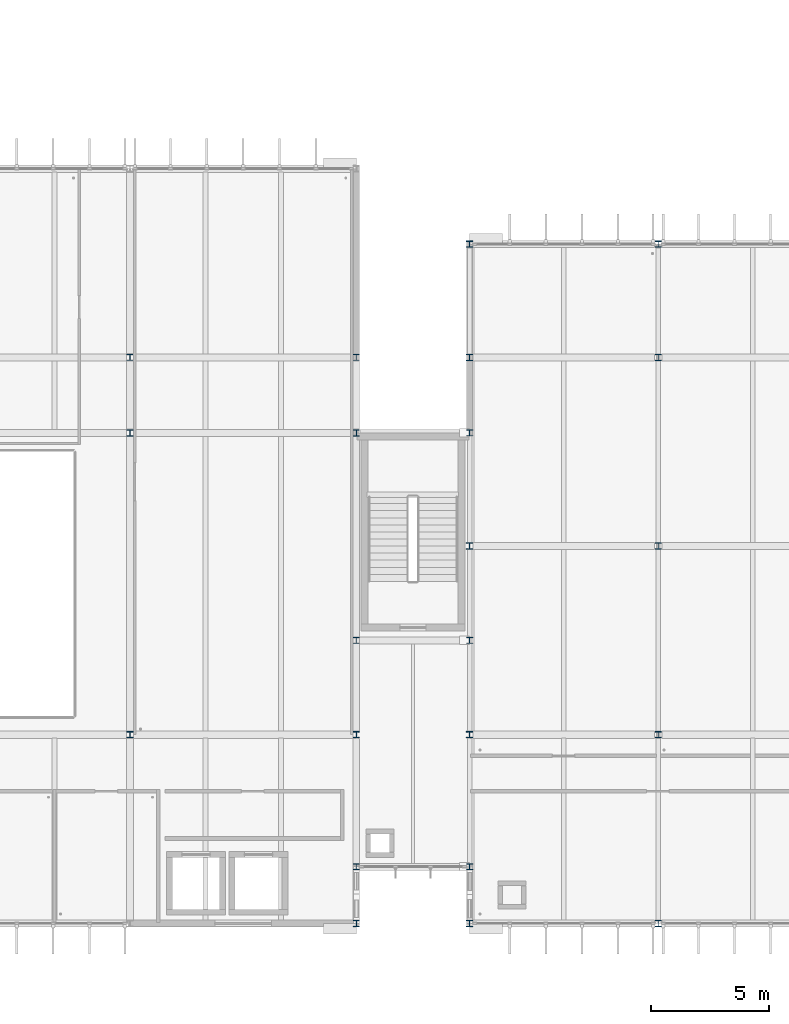
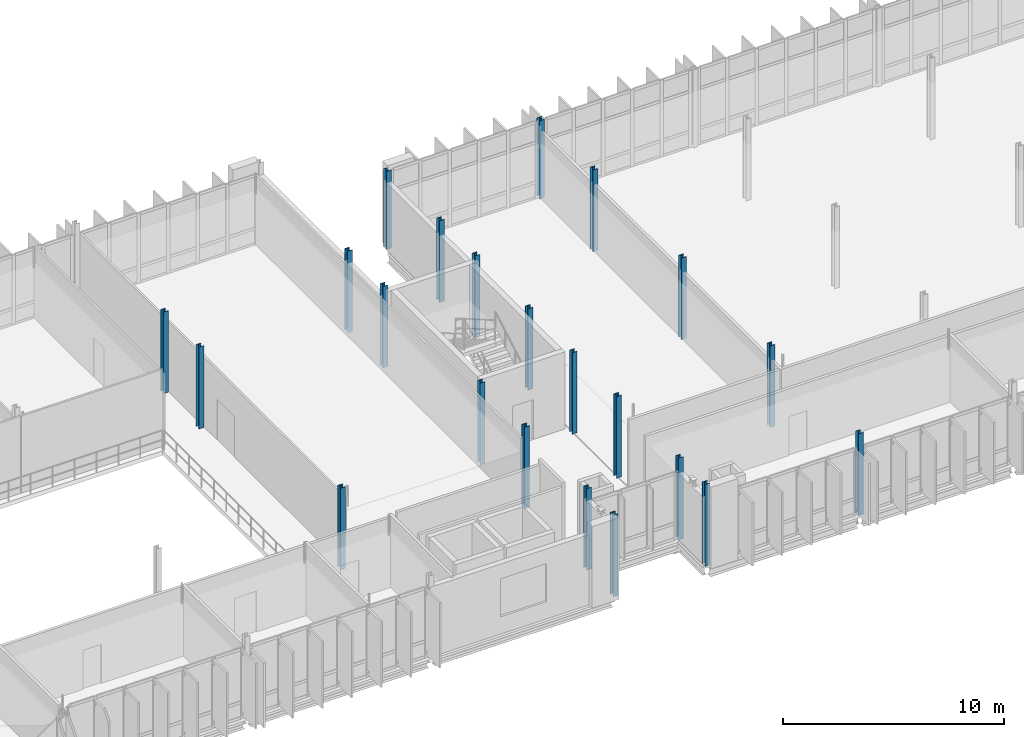
# One storey, part 6 of 93: 22 columns.
"""IFC4 building model written with IfcOpenShell, lengths in metres."""

from ifc_helpers import new_model, si_unit, direction, frame, origin, origin_2d, place, context, subcontext, project, spatial, i_section, extrude, material, material_profile, profile_set, type_object, element, save


model = new_model("IFC4")

# Units and contexts
model_context = context("Model", 3, precision=1e-05, world=origin(), true_north=direction((0.0, 1.0)))
body_context = subcontext(model_context, "Body", "Model", "MODEL_VIEW")
ifc_project = project(units=[si_unit("LENGTHUNIT", "METRE"), si_unit("AREAUNIT", "SQUARE_METRE"), si_unit("VOLUMEUNIT", "CUBIC_METRE"), si_unit("PLANEANGLEUNIT", "RADIAN"), si_unit("MASSUNIT", "GRAM", prefix="KILO")], contexts=[model_context])

# Site, building, storey
site_placement = place(None, origin())
site = spatial("IfcSite", under=ifc_project, at=site_placement, CompositionType="ELEMENT")
building_placement = place(site_placement, origin())
building = spatial("IfcBuilding", under=site, at=building_placement, Name="Dunescarp Central Library", CompositionType="ELEMENT")
storey_placement = place(building_placement, frame((0.0, 0.0, 14.10009765625)))
storey = spatial("IfcBuildingStorey", under=building, at=storey_placement, Name="L03", CompositionType="ELEMENT", Elevation=14.10009765625)

# Columns
ifc_material = material(Name="Steel S355JR", Category="steel")
ifc_material_profile_1 = material_profile(ifc_material, i_section(OverallWidth=0.26123046875, OverallDepth=0.2763671875, WebThickness=0.015380859375, FlangeThickness=0.025390625, at=origin_2d()), Name="UC 254x254x132")
ifc_profile_set_1 = profile_set([ifc_material_profile_1], Name="Steel S355JR")
column_type_1 = type_object("IfcColumnType", Name="STR-COL-UC254X132", PredefinedType="COLUMN", material=ifc_profile_set_1)
for number, where, z_axis, x_axis, name in (
    (1, (67.199951171875, 12.800048828125, 0.0), (0.0, 0.0, 1.0), (1.0, 0.0, 0.0), "L03 column V2-672-128"),
    (2, (67.199951171875, 25.60009765625, 0.0), (0.0, 0.0, 1.0), (1.0, 0.0, 0.0), "L03 column V2-672-256"),
    (3, (76.800048828125, 4.800048828125, 0.0), (0.0, 0.0, 1.0), (1.0, 0.0, 0.0), "L03 column V2-768-48"),
    (4, (76.800048828125, 12.800048828125, 0.0), (0.0, 0.0, 1.0), (1.0, 0.0, 0.0), "L03 column V2-768-128"),
    (5, (76.800048828125, 25.60009765625, 0.0), (0.0, 0.0, 1.0), (1.0, 0.0, 0.0), "L03 column V2-768-256"),
    (6, (81.60009765625, 4.800048828125, 0.0), (0.0, 0.0, 1.0), (1.0, 0.0, 0.0), "L03 column V3-816-48"),
    (7, (81.60009765625, 12.800048828125, 0.0), (0.0, 0.0, 1.0), (1.0, 0.0, 0.0), "L03 column V3-816-128"),
    (8, (81.60009765625, 20.800048828125, 0.0), (0.0, 0.0, 1.0), (1.0, 0.0, 0.0), "L03 column V3-816-208"),
    (9, (81.60009765625, 28.800048828125, 0.0), (0.0, 0.0, 1.0), (1.0, 0.0, 0.0), "L03 column V3-816-288"),
):
    element("IfcColumn", number, at=place(storey_placement, frame(where, z_axis=z_axis, x_axis=x_axis)), inside=storey, type_object=column_type_1, Name=name, PredefinedType="COLUMN", context=body_context, shape_type="SweptSolid", body=[
        extrude(i_section(OverallWidth=0.26123046875, OverallDepth=0.2763671875, WebThickness=0.015380859375, FlangeThickness=0.025390625, at=origin_2d()), origin(), (0.0, 0.0, 1.0), 4.5),
    ])
column_1_placement = place(storey_placement, frame((81.60009765625, 33.60009765625, 0.0), z_axis=(0.0, 0.0, 1.0), x_axis=(1.0, 0.0, 0.0)))
element("IfcColumn", 10, at=column_1_placement, inside=storey, type_object=column_type_1, Name="L03 column V3-816-336", PredefinedType="COLUMN", context=body_context, shape_type="SweptSolid", body=[
    extrude(i_section(OverallWidth=0.26123046875, OverallDepth=0.2763671875, WebThickness=0.015380859375, FlangeThickness=0.025390625, at=origin_2d()), origin(), (0.0, 0.0, 1.0), 4.309814453125),
])
for number, where, z_axis, x_axis, name in (
    (11, (89.60009765625, 4.800048828125, 0.0), (0.0, 0.0, 1.0), (1.0, 0.0, 0.0), "L03 column V3-896-48"),
    (12, (89.60009765625, 12.800048828125, 0.0), (0.0, 0.0, 1.0), (1.0, 0.0, 0.0), "L03 column V3-896-128"),
    (13, (89.60009765625, 20.800048828125, 0.0), (0.0, 0.0, 1.0), (1.0, 0.0, 0.0), "L03 column V3-896-208"),
    (14, (89.60009765625, 28.800048828125, 0.0), (0.0, 0.0, 1.0), (1.0, 0.0, 0.0), "L03 column V3-896-288"),
):
    element("IfcColumn", number, at=place(storey_placement, frame(where, z_axis=z_axis, x_axis=x_axis)), inside=storey, type_object=column_type_1, Name=name, PredefinedType="COLUMN", context=body_context, shape_type="SweptSolid", body=[
        extrude(i_section(OverallWidth=0.26123046875, OverallDepth=0.2763671875, WebThickness=0.015380859375, FlangeThickness=0.025390625, at=origin_2d()), origin(), (0.0, 0.0, 1.0), 4.5),
    ])
column_2_placement = place(storey_placement, frame((89.60009765625, 33.60009765625, 0.0), z_axis=(0.0, 0.0, 1.0), x_axis=(1.0, 0.0, 0.0)))
element("IfcColumn", 15, at=column_2_placement, inside=storey, type_object=column_type_1, Name="L03 column V3-896-336", PredefinedType="COLUMN", context=body_context, shape_type="SweptSolid", body=[
    extrude(i_section(OverallWidth=0.26123046875, OverallDepth=0.2763671875, WebThickness=0.015380859375, FlangeThickness=0.025390625, at=origin_2d()), origin(), (0.0, 0.0, 1.0), 4.309814453125),
])
ifc_material_profile_2 = material_profile(ifc_material, i_section(OverallWidth=0.25634765625, OverallDepth=0.26025390625, WebThickness=0.01025390625, FlangeThickness=0.017333984375, at=origin_2d()), Name="UC 254x254x89")
ifc_profile_set_2 = profile_set([ifc_material_profile_2], Name="Steel S355JR")
column_type_2 = type_object("IfcColumnType", Name="STR-COL-UC254X89", PredefinedType="COLUMN", material=ifc_profile_set_2)
for number, where, z_axis, x_axis, name in (
    (16, (67.199951171875, 28.800048828125, 0.0), (0.0, 0.0, 1.0), (1.0, 0.0, 0.0), "L03 column V2N5-672"),
    (17, (76.800048828125, 28.800048828125, 0.0), (0.0, 0.0, 1.0), (1.0, 0.0, 0.0), "L03 column V2N5-768"),
    (18, (76.800048828125, 7.199951171875, 0.0), (0.0, 0.0, 1.0), (1.0, 0.0, 0.0), "L03 column V2L-768-72"),
    (19, (76.800048828125, 16.800048828125, 0.0), (0.0, 0.0, 1.0), (1.0, 0.0, 0.0), "L03 column V2L-768-168"),
    (20, (81.60009765625, 7.199951171875, 0.0), (0.0, 0.0, 1.0), (1.0, 0.0, 0.0), "L03 column V3L-816-72"),
    (21, (81.60009765625, 16.800048828125, 0.0), (0.0, 0.0, 1.0), (1.0, 0.0, 0.0), "L03 column V3L-816-168"),
    (22, (81.60009765625, 25.60009765625, 0.0), (0.0, 0.0, 1.0), (1.0, 0.0, 0.0), "L03 column V3L-816-256"),
):
    element("IfcColumn", number, at=place(storey_placement, frame(where, z_axis=z_axis, x_axis=x_axis)), inside=storey, type_object=column_type_2, Name=name, PredefinedType="COLUMN", context=body_context, shape_type="SweptSolid", body=[
        extrude(i_section(OverallWidth=0.25634765625, OverallDepth=0.26025390625, WebThickness=0.01025390625, FlangeThickness=0.017333984375, at=origin_2d()), origin(), (0.0, 0.0, 1.0), 4.5),
    ])

save(model, "model.ifc")
